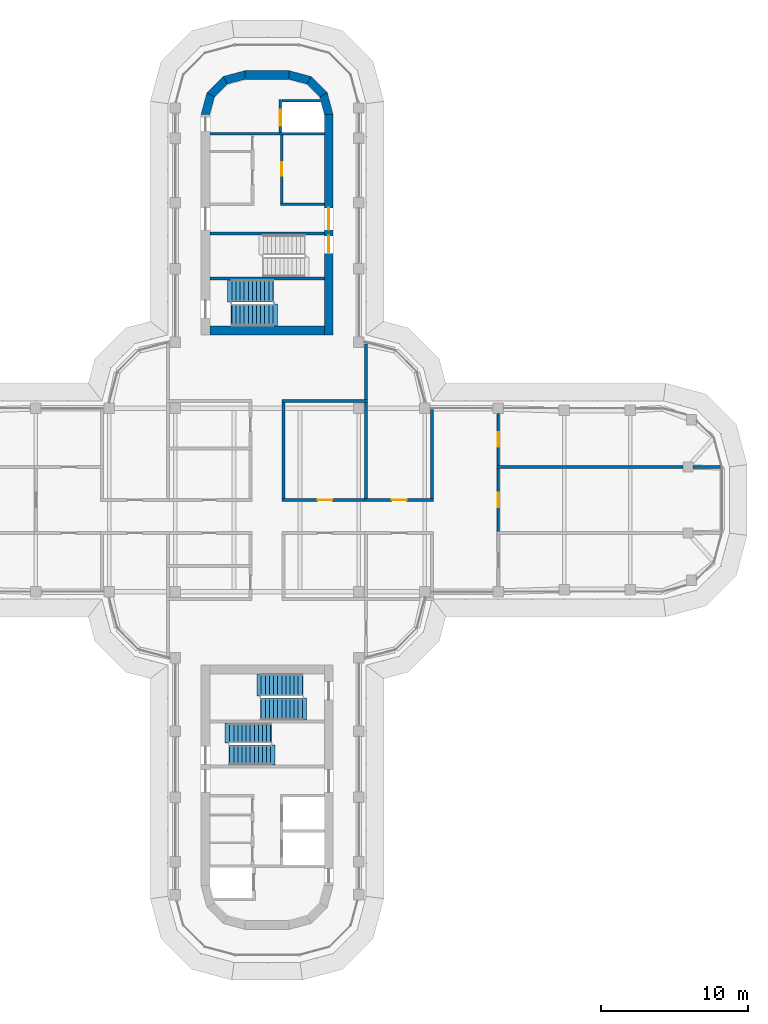
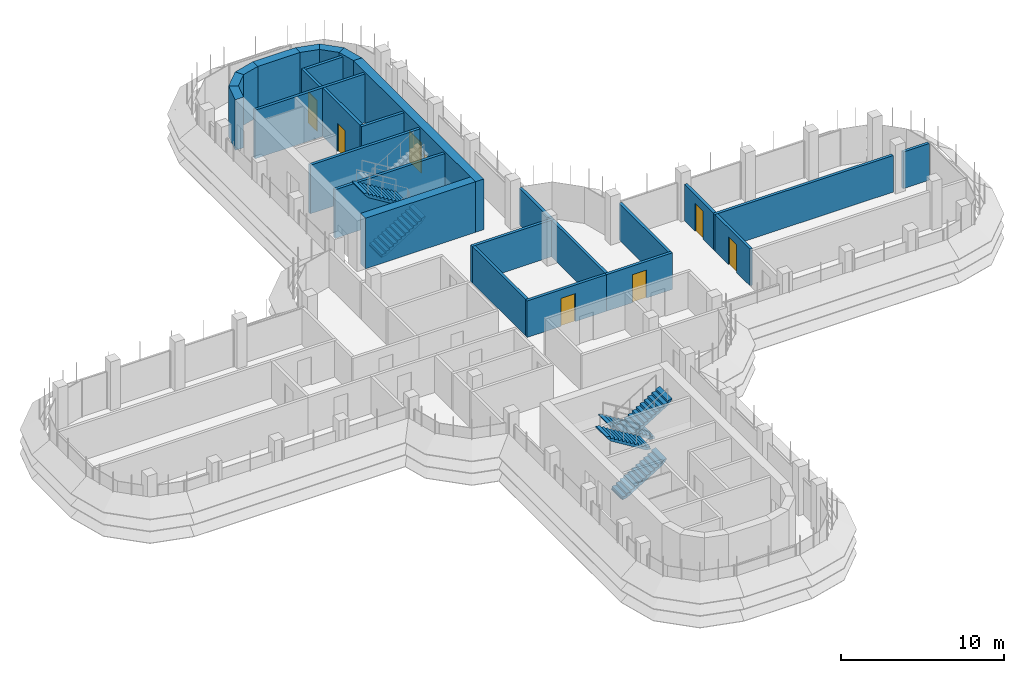
# One storey, part 15 of 19: 27 walls, 8 doors, 6 stair flights, 8 openings, 3 elements without a shape of their own.
"""IFC4 building model written with IfcOpenShell, lengths in metres."""

from ifc_helpers import new_model, si_unit, direction, frame, frame_2d, origin, place, context, subcontext, project, spatial, polyline, rectangle, outline, extrude, material, layer, layer_set, type_object, element, fill, aggregate, save


model = new_model("IFC4")

# Units and contexts
model_context = context("Model", 3, precision=1e-05, world=origin(), true_north=direction((0.0, 1.0)))
body_context = subcontext(model_context, "Body", "Model", "MODEL_VIEW")
ifc_project = project(units=[si_unit("LENGTHUNIT", "METRE"), si_unit("AREAUNIT", "SQUARE_METRE"), si_unit("VOLUMEUNIT", "CUBIC_METRE"), si_unit("PLANEANGLEUNIT", "RADIAN"), si_unit("MASSUNIT", "GRAM", prefix="KILO")], contexts=[model_context])

# Site, building, storey
site_placement = place(None, origin())
site = spatial("IfcSite", under=ifc_project, at=site_placement, CompositionType="ELEMENT")
building_placement = place(site_placement, origin())
building = spatial("IfcBuilding", under=site, at=building_placement, Name="Zarbagh Exchange Tower", CompositionType="ELEMENT")
storey_placement = place(building_placement, frame((0.0, 0.0, 203.0)))
storey = spatial("IfcBuildingStorey", under=building, at=storey_placement, Name="L49", CompositionType="ELEMENT", Elevation=203.0)

# Wall, opening, door
ifc_material_1 = material(Name="Fire-rated plasterboard partition")
ifc_layer_1 = layer(ifc_material_1, 0.199951171875)
ifc_layer_set_1 = layer_set([ifc_layer_1], Name="RATED PARTITION 200")
wall_type_1 = type_object("IfcWallType", Name="RATED PARTITION 200", PredefinedType="PARTITIONING", material=ifc_layer_set_1)
wall_1_placement = place(storey_placement, frame((1.02490234375, 0.0, 0.0), z_axis=(0.0, 0.0, 1.0), x_axis=(1.0, 0.0, 0.0)))
wall_1 = element("IfcWall", 1, at=wall_1_placement, inside=storey, type_object=wall_type_1, Name="Partition W-2101", PredefinedType="PARTITIONING", context=body_context, shape_type="SweptSolid", body=[
    extrude(rectangle(XDim=5.8251953125, YDim=0.199951171875, at=frame_2d((2.91259765625, 0.0))), origin(), (0.0, 0.0, 1.0), 2.75),
])
opening_1_placement = place(wall_1_placement, frame((2.41259765625, 0.0, 0.0)))
opening_1 = element("IfcOpeningElement", 2, at=opening_1_placement, cuts=wall_1, Name="Opening D-2104", PredefinedType="OPENING", context=body_context, shape_type="SweptSolid", body=[
    extrude(rectangle(XDim=1.0, YDim=2.10009765625, at=frame_2d((0.5, 1.050048828125))), frame((0.0, 0.10986328125, 0.0), z_axis=(0.0, -1.0, 0.0), x_axis=(1.0, 0.0, 0.0)), (0.0, 0.0, 1.0), 0.219970703125),
])
ifc_material_2 = material(Name="Steel door set", Category="steel")
door_type_1 = type_object("IfcDoorType", Name="FIRE DOOR 1000 X 2100 FD30S", OperationType="NOTDEFINED", PredefinedType="DOOR", material=ifc_material_2)
door_1_placement = place(opening_1_placement, origin())
door_1 = element("IfcDoor", 3, at=door_1_placement, inside=storey, type_object=door_type_1, Name="Door D-2104", OperationType="SINGLE_SWING_RIGHT", OverallHeight=2.10009765625, OverallWidth=1.0, PredefinedType="DOOR", context=body_context, shape_type="SweptSolid", body=[
    extrude(rectangle(XDim=1.0, YDim=2.10009765625, at=frame_2d((0.5, 1.050048828125))), frame((0.0, 0.02490234375, 0.0), z_axis=(0.0, -1.0, 0.0), x_axis=(1.0, 0.0, 0.0)), (0.0, 0.0, 1.0), 0.050048828125),
])
fill(opening_1, door_1)

wall_2_placement = place(storey_placement, frame((6.64990234375, 0.0, 0.0), z_axis=(0.0, 0.0, 1.0), x_axis=(1.0, 0.0, 0.0)))
wall_2 = element("IfcWall", 4, at=wall_2_placement, inside=storey, type_object=wall_type_1, Name="Partition W-2102", PredefinedType="PARTITIONING", context=body_context, shape_type="SweptSolid", body=[
    extrude(rectangle(XDim=4.7001953125, YDim=0.199951171875, at=frame_2d((2.35009765625, 0.0))), origin(), (0.0, 0.0, 1.0), 2.75),
])
opening_2_placement = place(wall_2_placement, frame((1.85009765625, 0.0, 0.0)))
opening_2 = element("IfcOpeningElement", 5, at=opening_2_placement, cuts=wall_2, Name="Opening D-2105", PredefinedType="OPENING", context=body_context, shape_type="SweptSolid", body=[
    extrude(rectangle(XDim=1.0, YDim=2.10009765625, at=frame_2d((0.5, 1.050048828125))), frame((0.0, 0.10986328125, 0.0), z_axis=(0.0, -1.0, 0.0), x_axis=(1.0, 0.0, 0.0)), (0.0, 0.0, 1.0), 0.219970703125),
])
door_2_placement = place(opening_2_placement, origin())
door_2 = element("IfcDoor", 6, at=door_2_placement, inside=storey, type_object=door_type_1, Name="Door D-2105", OperationType="SINGLE_SWING_RIGHT", OverallHeight=2.10009765625, OverallWidth=1.0, PredefinedType="DOOR", context=body_context, shape_type="SweptSolid", body=[
    extrude(rectangle(XDim=1.0, YDim=2.10009765625, at=frame_2d((0.5, 1.050048828125))), frame((0.0, 0.02490234375, 0.0), z_axis=(0.0, -1.0, 0.0), x_axis=(1.0, 0.0, 0.0)), (0.0, 0.0, 1.0), 0.050048828125),
])
fill(opening_2, door_2)

# Walls
wall_3_placement = place(storey_placement, frame((1.125, 0.10009765625, 0.0), z_axis=(0.0, 0.0, 1.0), x_axis=(0.0, 1.0, 0.0)))
element("IfcWall", 7, at=wall_3_placement, inside=storey, type_object=wall_type_1, Name="Partition W-2109", PredefinedType="PARTITIONING", context=body_context, shape_type="SweptSolid", body=[
    extrude(rectangle(XDim=6.5498046875, YDim=0.199951171875, at=frame_2d((3.27490234375, 0.0))), origin(), (0.0, 0.0, 1.0), 2.75),
])
wall_4_placement = place(storey_placement, frame((1.02490234375, 6.75, 0.0), z_axis=(0.0, 0.0, 1.0), x_axis=(1.0, 0.0, 0.0)))
element("IfcWall", 8, at=wall_4_placement, inside=storey, type_object=wall_type_1, Name="Partition W-2115", PredefinedType="PARTITIONING", context=body_context, shape_type="SweptSolid", body=[
    extrude(rectangle(XDim=5.8251953125, YDim=0.199951171875, at=frame_2d((2.91259765625, 0.0))), origin(), (0.0, 0.0, 1.0), 2.75),
])
wall_5_placement = place(storey_placement, frame((6.75, 6.85009765625, 0.0), z_axis=(0.0, 0.0, 1.0), x_axis=(0.0, 1.0, 0.0)))
element("IfcWall", 9, at=wall_5_placement, inside=storey, type_object=wall_type_1, Name="Partition W-2116", PredefinedType="PARTITIONING", context=body_context, shape_type="SweptSolid", body=[
    extrude(rectangle(XDim=3.77978515625, YDim=0.199951171875, at=frame_2d((1.889892578125, 0.0))), origin(), (0.0, 0.0, 1.0), 2.75),
])
wall_6_placement = place(storey_placement, frame((6.75, 0.10009765625, 0.0), z_axis=(0.0, 0.0, 1.0), x_axis=(0.0, 1.0, 0.0)))
element("IfcWall", 10, at=wall_6_placement, inside=storey, type_object=wall_type_1, Name="Partition W-2123", PredefinedType="PARTITIONING", context=body_context, shape_type="SweptSolid", body=[
    extrude(rectangle(XDim=6.5498046875, YDim=0.199951171875, at=frame_2d((3.27490234375, 0.0))), origin(), (0.0, 0.0, 1.0), 2.75),
])
wall_7_placement = place(storey_placement, frame((11.25, 0.10009765625, 0.0), z_axis=(0.0, 0.0, 1.0), x_axis=(0.0, 1.0, 0.0)))
element("IfcWall", 11, at=wall_7_placement, inside=storey, type_object=wall_type_1, Name="Partition W-2124", PredefinedType="PARTITIONING", context=body_context, shape_type="SweptSolid", body=[
    extrude(rectangle(XDim=6.06982421875, YDim=0.199951171875, at=frame_2d((3.034912109375, 0.0))), origin(), (0.0, 0.0, 1.0), 2.75),
])

# Wall, opening, door
wall_8_placement = place(storey_placement, frame((15.75, 2.14990234375, 0.0), z_axis=(0.0, 0.0, 1.0), x_axis=(0.0, -1.0, 0.0)))
wall_8 = element("IfcWall", 12, at=wall_8_placement, inside=storey, type_object=wall_type_1, Name="Partition W-2138", PredefinedType="PARTITIONING", context=body_context, shape_type="SweptSolid", body=[
    extrude(rectangle(XDim=4.2998046875, YDim=0.199951171875, at=frame_2d((2.14990234375, 0.0))), origin(), (0.0, 0.0, 1.0), 2.75),
])
opening_3_placement = place(wall_8_placement, frame((1.64990234375, 0.0, 0.0)))
opening_3 = element("IfcOpeningElement", 13, at=opening_3_placement, cuts=wall_8, Name="Opening D-2102", PredefinedType="OPENING", context=body_context, shape_type="SweptSolid", body=[
    extrude(rectangle(XDim=1.0, YDim=2.10009765625, at=frame_2d((0.5, 1.050048828125))), frame((0.0, 0.10986328125, 0.0), z_axis=(0.0, -1.0, 0.0), x_axis=(1.0, 0.0, 0.0)), (0.0, 0.0, 1.0), 0.219970703125),
])
door_3_placement = place(opening_3_placement, origin())
door_3 = element("IfcDoor", 14, at=door_3_placement, inside=storey, type_object=door_type_1, Name="Door D-2102", OperationType="SINGLE_SWING_RIGHT", OverallHeight=2.10009765625, OverallWidth=1.0, PredefinedType="DOOR", context=body_context, shape_type="SweptSolid", body=[
    extrude(rectangle(XDim=1.0, YDim=2.10009765625, at=frame_2d((0.5, 1.050048828125))), frame((0.0, 0.02490234375, 0.0), z_axis=(0.0, -1.0, 0.0), x_axis=(1.0, 0.0, 0.0)), (0.0, 0.0, 1.0), 0.050048828125),
])
fill(opening_3, door_3)

wall_9_placement = place(storey_placement, frame((15.75, 5.89990234375, 0.0), z_axis=(0.0, 0.0, 1.0), x_axis=(0.0, -1.0, 0.0)))
wall_9 = element("IfcWall", 15, at=wall_9_placement, inside=storey, type_object=wall_type_1, Name="Partition W-2139", PredefinedType="PARTITIONING", context=body_context, shape_type="SweptSolid", body=[
    extrude(rectangle(XDim=3.5498046875, YDim=0.199951171875, at=frame_2d((1.77490234375, 0.0))), origin(), (0.0, 0.0, 1.0), 2.75),
])
opening_4_placement = place(wall_9_placement, frame((1.27490234375, 0.0, 0.0)))
opening_4 = element("IfcOpeningElement", 16, at=opening_4_placement, cuts=wall_9, Name="Opening D-2103", PredefinedType="OPENING", context=body_context, shape_type="SweptSolid", body=[
    extrude(rectangle(XDim=1.0, YDim=2.10009765625, at=frame_2d((0.5, 1.050048828125))), frame((0.0, 0.10986328125, 0.0), z_axis=(0.0, -1.0, 0.0), x_axis=(1.0, 0.0, 0.0)), (0.0, 0.0, 1.0), 0.219970703125),
])
door_4_placement = place(opening_4_placement, origin())
door_4 = element("IfcDoor", 17, at=door_4_placement, inside=storey, type_object=door_type_1, Name="Door D-2103", OperationType="SINGLE_SWING_RIGHT", OverallHeight=2.10009765625, OverallWidth=1.0, PredefinedType="DOOR", context=body_context, shape_type="SweptSolid", body=[
    extrude(rectangle(XDim=1.0, YDim=2.10009765625, at=frame_2d((0.5, 1.050048828125))), frame((0.0, 0.02490234375, 0.0), z_axis=(0.0, -1.0, 0.0), x_axis=(1.0, 0.0, 0.0)), (0.0, 0.0, 1.0), 0.050048828125),
])
fill(opening_4, door_4)

# Walls
wall_10_placement = place(storey_placement, frame((15.64990234375, 2.25, 0.0), z_axis=(0.0, 0.0, 1.0), x_axis=(1.0, 0.0, 0.0)))
element("IfcWall", 18, at=wall_10_placement, inside=storey, type_object=wall_type_1, Name="Partition W-2142", PredefinedType="PARTITIONING", context=body_context, shape_type="SweptSolid", body=[
    extrude(rectangle(XDim=12.670166015625, YDim=0.199951171875, at=frame_2d((6.3349609375, 0.0))), origin(), (0.0, 0.0, 1.0), 2.75),
])
wall_11_placement = place(storey_placement, frame((29.02001953125, 2.25, 0.0), z_axis=(0.0, 0.0, 1.0), x_axis=(1.0, 0.0, 0.0)))
element("IfcWall", 19, at=wall_11_placement, inside=storey, type_object=wall_type_1, Name="Partition W-2143", PredefinedType="PARTITIONING", context=body_context, shape_type="SweptSolid", body=[
    extrude(rectangle(XDim=1.85986328125, YDim=0.199951171875, at=frame_2d((0.929931640625, 0.0))), origin(), (0.0, 0.0, 1.0), 2.75),
])
ifc_material_3 = material(Name="Concrete C50/60", Category="concrete")
ifc_layer_2 = layer(ifc_material_3, 0.60009765625)
ifc_layer_set_2 = layer_set([ifc_layer_2], Name="RC core corner wall 600 C50/60")
wall_type_2 = type_object("IfcWallType", Name="RC core corner wall 600 C50/60", PredefinedType="SHEAR", material=ifc_layer_set_2)
wall_12_placement = place(storey_placement, origin())
element("IfcWall", 20, at=wall_12_placement, inside=storey, type_object=wall_type_2, Name="CW8 core N corner W", PredefinedType="SHEAR", context=body_context, shape_type="SweptSolid", body=[
    extrude(outline(polyline([(-4.5, 26.25), (-4.09814453125, 27.75), (-3.57861328125, 27.449951171875), (-3.89990234375, 26.25), (-4.5, 26.25)])), origin(), (0.0, 0.0, 1.0), 3.800048828125),
])
wall_13_placement = place(storey_placement, origin())
element("IfcWall", 21, at=wall_13_placement, inside=storey, type_object=wall_type_2, Name="CW8 core N corner W", PredefinedType="SHEAR", context=body_context, shape_type="SweptSolid", body=[
    extrude(outline(polyline([(-4.09814453125, 27.75), (-3.0, 28.84814453125), (-2.699951171875, 28.32861328125), (-3.57861328125, 27.449951171875), (-4.09814453125, 27.75)])), origin(), (0.0, 0.0, 1.0), 3.800048828125),
])
wall_14_placement = place(storey_placement, origin())
element("IfcWall", 22, at=wall_14_placement, inside=storey, type_object=wall_type_2, Name="CW8 core N corner W", PredefinedType="SHEAR", context=body_context, shape_type="SweptSolid", body=[
    extrude(outline(polyline([(-3.0, 28.84814453125), (-1.5, 29.25), (-1.5, 28.64990234375), (-2.699951171875, 28.32861328125), (-3.0, 28.84814453125)])), origin(), (0.0, 0.0, 1.0), 3.800048828125),
])
wall_15_placement = place(storey_placement, origin())
element("IfcWall", 23, at=wall_15_placement, inside=storey, type_object=wall_type_2, Name="CW8 core N corner E", PredefinedType="SHEAR", context=body_context, shape_type="SweptSolid", body=[
    extrude(outline(polyline([(4.5, 26.25), (4.09814453125, 27.75), (3.57861328125, 27.449951171875), (3.89990234375, 26.25), (4.5, 26.25)])), origin(), (0.0, 0.0, 1.0), 3.800048828125),
])
wall_16_placement = place(storey_placement, origin())
element("IfcWall", 24, at=wall_16_placement, inside=storey, type_object=wall_type_2, Name="CW8 core N corner E", PredefinedType="SHEAR", context=body_context, shape_type="SweptSolid", body=[
    extrude(outline(polyline([(4.09814453125, 27.75), (3.0, 28.84814453125), (2.699951171875, 28.32861328125), (3.57861328125, 27.449951171875), (4.09814453125, 27.75)])), origin(), (0.0, 0.0, 1.0), 3.800048828125),
])
wall_17_placement = place(storey_placement, origin())
element("IfcWall", 25, at=wall_17_placement, inside=storey, type_object=wall_type_2, Name="CW8 core N corner E", PredefinedType="SHEAR", context=body_context, shape_type="SweptSolid", body=[
    extrude(outline(polyline([(3.0, 28.84814453125), (1.5, 29.25), (1.5, 28.64990234375), (2.699951171875, 28.32861328125), (3.0, 28.84814453125)])), origin(), (0.0, 0.0, 1.0), 3.800048828125),
])

# Wall, openings, doors
ifc_layer_3 = layer(ifc_material_3, 0.60009765625)
ifc_layer_set_3 = layer_set([ifc_layer_3], Name="RC core wall 600 C50/60")
wall_type_3 = type_object("IfcWallType", Name="RC core wall 600 C50/60", PredefinedType="SHEAR", material=ifc_layer_set_3)
wall_18_placement = place(storey_placement, frame((4.199951171875, 11.25, 0.0), z_axis=(0.0, 0.0, 1.0), x_axis=(0.0, 1.0, 0.0)))
wall_18 = element("IfcWall", 26, at=wall_18_placement, inside=storey, type_object=wall_type_3, Name="CW7 core N E", PredefinedType="SHEAR", context=body_context, shape_type="SweptSolid", body=[
    extrude(rectangle(XDim=15.0, YDim=0.60009765625, at=frame_2d((7.5, 0.0))), origin(), (0.0, 0.0, 1.0), 3.800048828125),
])
opening_5_placement = place(wall_18_placement, frame((7.14990234375, 0.0, 0.0)))
opening_5 = element("IfcOpeningElement", 27, at=opening_5_placement, cuts=wall_18, Name="Opening CD1-1500", PredefinedType="OPENING", context=body_context, shape_type="SweptSolid", body=[
    extrude(rectangle(XDim=1.5, YDim=2.300048828125, at=frame_2d((0.75, 1.14990234375))), frame((0.0, 0.31005859375, 0.0), z_axis=(0.0, -1.0, 0.0), x_axis=(1.0, 0.0, 0.0)), (0.0, 0.0, 1.0), 0.6201171875),
])
opening_6_placement = place(wall_18_placement, frame((5.550048828125, 0.0, 0.0)))
opening_6 = element("IfcOpeningElement", 28, at=opening_6_placement, cuts=wall_18, Name="Opening SD1-1200", PredefinedType="OPENING", context=body_context, shape_type="SweptSolid", body=[
    extrude(rectangle(XDim=1.199951171875, YDim=2.10009765625, at=frame_2d((0.60009765625, 1.050048828125))), frame((0.0, 0.31005859375, 0.0), z_axis=(0.0, -1.0, 0.0), x_axis=(1.0, 0.0, 0.0)), (0.0, 0.0, 1.0), 0.6201171875),
])
ifc_material_4 = material(Name="Steel", Category="steel")
door_type_2 = type_object("IfcDoorType", Name="Exit stair door 1200 x 2100", OperationType="NOTDEFINED", PredefinedType="DOOR", material=ifc_material_4)
door_5_placement = place(opening_6_placement, origin())
door_5 = element("IfcDoor", 29, at=door_5_placement, inside=storey, type_object=door_type_2, Name="North core stair door ST1", OperationType="SINGLE_SWING_RIGHT", OverallHeight=2.10009765625, OverallWidth=1.199951171875, PredefinedType="DOOR", context=body_context, shape_type="SweptSolid", body=[
    extrude(rectangle(XDim=1.199951171875, YDim=2.10009765625, at=frame_2d((0.60009765625, 1.050048828125))), frame((0.0, 0.02490234375, 0.0), z_axis=(0.0, -1.0, 0.0), x_axis=(1.0, 0.0, 0.0)), (0.0, 0.0, 1.0), 0.050048828125),
])
fill(opening_6, door_5)
door_type_3 = type_object("IfcDoorType", Name="Lift lobby double door 1500 x 2300", OperationType="NOTDEFINED", PredefinedType="DOOR", material=ifc_material_4)
door_6_placement = place(opening_5_placement, origin())
door_6 = element("IfcDoor", 30, at=door_6_placement, inside=storey, type_object=door_type_3, Name="North core lift lobby door LOBBY-E", OperationType="DOUBLE_DOOR_SINGLE_SWING", OverallHeight=2.300048828125, OverallWidth=1.5, PredefinedType="DOOR", context=body_context, shape_type="SweptSolid", body=[
    extrude(rectangle(XDim=1.5, YDim=2.300048828125, at=frame_2d((0.75, 1.14990234375))), frame((0.0, 0.02490234375, 0.0), z_axis=(0.0, -1.0, 0.0), x_axis=(1.0, 0.0, 0.0)), (0.0, 0.0, 1.0), 0.050048828125),
])
fill(opening_5, door_6)

# Walls
wall_19_placement = place(storey_placement, frame((-3.89990234375, 11.550048828125, 0.0), z_axis=(0.0, 0.0, 1.0), x_axis=(1.0, 0.0, 0.0)))
element("IfcWall", 31, at=wall_19_placement, inside=storey, type_object=wall_type_3, Name="CW7 core N inner end", PredefinedType="SHEAR", context=body_context, shape_type="SweptSolid", body=[
    extrude(rectangle(XDim=7.7998046875, YDim=0.60009765625, at=frame_2d((3.89990234375, 0.0))), origin(), (0.0, 0.0, 1.0), 3.800048828125),
])
wall_20_placement = place(storey_placement, frame((-1.5, 28.949951171875, 0.0), z_axis=(0.0, 0.0, 1.0), x_axis=(1.0, 0.0, 0.0)))
element("IfcWall", 32, at=wall_20_placement, inside=storey, type_object=wall_type_3, Name="CW7 core N outer end", PredefinedType="SHEAR", context=body_context, shape_type="SweptSolid", body=[
    extrude(rectangle(XDim=3.0, YDim=0.60009765625, at=frame_2d((1.5, 0.0))), origin(), (0.0, 0.0, 1.0), 3.800048828125),
])
ifc_material_5 = material(Name="Dense blockwork", Category="masonry")
ifc_layer_4 = layer(ifc_material_5, 0.199951171875)
ifc_layer_set_4 = layer_set([ifc_layer_4], Name="Shaft wall 200 mm blockwork")
wall_type_4 = type_object("IfcWallType", Name="Shaft wall 200 mm blockwork", PredefinedType="PARTITIONING", material=ifc_layer_set_4)
wall_21_placement = place(storey_placement, frame((0.89990234375, 20.14990234375, 0.0), z_axis=(0.0, 0.0, 1.0), x_axis=(1.0, 0.0, 0.0)))
element("IfcWall", 33, at=wall_21_placement, inside=storey, type_object=wall_type_4, Name="North core shaft wall AB-E", PredefinedType="PARTITIONING", context=body_context, shape_type="SweptSolid", body=[
    extrude(rectangle(XDim=3.0, YDim=0.199951171875, at=frame_2d((1.5, 0.0))), origin(), (0.0, 0.0, 1.0), 3.64990234375),
])

# Wall, opening, door
wall_22_placement = place(storey_placement, frame((1.0, 24.85009765625, 0.0), z_axis=(0.0, 0.0, 1.0), x_axis=(0.0, -1.0, 0.0)))
wall_22 = element("IfcWall", 34, at=wall_22_placement, inside=storey, type_object=wall_type_4, Name="North core shaft wall LW-E", PredefinedType="PARTITIONING", context=body_context, shape_type="SweptSolid", body=[
    extrude(rectangle(XDim=4.60009765625, YDim=0.199951171875, at=frame_2d((2.300048828125, 0.0))), origin(), (0.0, 0.0, 1.0), 3.64990234375),
])
opening_7_placement = place(wall_22_placement, frame((1.85009765625, 0.0, 0.0)))
opening_7 = element("IfcOpeningElement", 35, at=opening_7_placement, cuts=wall_22, Name="Opening CD3-900", PredefinedType="OPENING", context=body_context, shape_type="SweptSolid", body=[
    extrude(rectangle(XDim=0.89990234375, YDim=2.10009765625, at=frame_2d((0.449951171875, 1.050048828125))), frame((0.0, 0.10986328125, 0.0), z_axis=(0.0, -1.0, 0.0), x_axis=(1.0, 0.0, 0.0)), (0.0, 0.0, 1.0), 0.219970703125),
])
door_type_4 = type_object("IfcDoorType", Name="Core room door 900 x 2100", OperationType="NOTDEFINED", PredefinedType="DOOR", material=ifc_material_4)
door_7_placement = place(opening_7_placement, origin())
door_7 = element("IfcDoor", 36, at=door_7_placement, inside=storey, type_object=door_type_4, Name="North core Riser store door RD-E-0", OperationType="SINGLE_SWING_LEFT", OverallHeight=2.10009765625, OverallWidth=0.89990234375, PredefinedType="DOOR", context=body_context, shape_type="SweptSolid", body=[
    extrude(rectangle(XDim=0.89990234375, YDim=2.10009765625, at=frame_2d((0.449951171875, 1.050048828125))), frame((0.0, 0.02490234375, 0.0), z_axis=(0.0, -1.0, 0.0), x_axis=(1.0, 0.0, 0.0)), (0.0, 0.0, 1.0), 0.050048828125),
])
fill(opening_7, door_7)

# Wall
ifc_material_6 = material(Name="Concrete C40/50", Category="concrete")
ifc_layer_5 = layer(ifc_material_6, 0.199951171875)
ifc_layer_set_5 = layer_set([ifc_layer_5], Name="Stair enclosure wall 200 mm RC C40/50")
wall_type_5 = type_object("IfcWallType", Name="Stair enclosure wall 200 mm RC C40/50", PredefinedType="SHEAR", material=ifc_layer_set_5)
wall_23_placement = place(storey_placement, frame((-3.89990234375, 24.949951171875, 0.0), z_axis=(0.0, 0.0, 1.0), x_axis=(1.0, 0.0, 0.0)))
element("IfcWall", 37, at=wall_23_placement, inside=storey, type_object=wall_type_5, Name="North core lift shaft wall FFA", PredefinedType="SHEAR", context=body_context, shape_type="SweptSolid", body=[
    extrude(rectangle(XDim=7.7998046875, YDim=0.199951171875, at=frame_2d((3.89990234375, 0.0))), origin(), (0.0, 0.0, 1.0), 3.64990234375),
])

# Wall, opening, door
wall_24_placement = place(storey_placement, frame((0.89990234375, 27.300048828125, 0.0), z_axis=(0.0, 0.0, 1.0), x_axis=(0.0, -1.0, 0.0)))
wall_24 = element("IfcWall", 38, at=wall_24_placement, inside=storey, type_object=wall_type_5, Name="North core lift shaft wall FFL", PredefinedType="SHEAR", context=body_context, shape_type="SweptSolid", body=[
    extrude(rectangle(XDim=2.25, YDim=0.199951171875, at=frame_2d((1.125, 0.0))), origin(), (0.0, 0.0, 1.0), 3.64990234375),
])
opening_8_placement = place(wall_24_placement, frame((0.699951171875, 0.0, 0.0)))
opening_8 = element("IfcOpeningElement", 39, at=opening_8_placement, cuts=wall_24, Name="Opening LD-1100", PredefinedType="OPENING", context=body_context, shape_type="SweptSolid", body=[
    extrude(rectangle(XDim=1.10009765625, YDim=2.300048828125, at=frame_2d((0.550048828125, 1.14990234375))), frame((0.0, 0.10986328125, 0.0), z_axis=(0.0, -1.0, 0.0), x_axis=(1.0, 0.0, 0.0)), (0.0, 0.0, 1.0), 0.219970703125),
])
ifc_material_7 = material(Name="Stainless steel", Category="steel")
door_type_5 = type_object("IfcDoorType", Name="Lift landing door 1100 x 2300", OperationType="NOTDEFINED", PredefinedType="DOOR", material=ifc_material_7)
door_8_placement = place(opening_8_placement, origin())
door_8 = element("IfcDoor", 40, at=door_8_placement, inside=storey, type_object=door_type_5, Name="North core lift landing door LD-F", OperationType="DOUBLE_DOOR_SLIDING", OverallHeight=2.300048828125, OverallWidth=1.10009765625, PredefinedType="DOOR", context=body_context, shape_type="SweptSolid", body=[
    extrude(rectangle(XDim=1.10009765625, YDim=2.300048828125, at=frame_2d((0.550048828125, 1.14990234375))), frame((0.0, 0.02490234375, 0.0), z_axis=(0.0, -1.0, 0.0), x_axis=(1.0, 0.0, 0.0)), (0.0, 0.0, 1.0), 0.050048828125),
])
fill(opening_8, door_8)

# Walls
wall_25_placement = place(storey_placement, origin())
element("IfcWall", 41, at=wall_25_placement, inside=storey, type_object=wall_type_5, Name="North core lift shaft wall FFX", PredefinedType="SHEAR", context=body_context, shape_type="SweptSolid", body=[
    extrude(outline(polyline([(1.0, 27.10009765625), (3.651123046875, 27.10009765625), (3.597412109375, 27.300048828125), (1.0, 27.300048828125), (1.0, 27.10009765625)])), origin(), (0.0, 0.0, 1.0), 3.64990234375),
])
for number, where, z_axis, x_axis, name in (
    (42, (-3.89990234375, 18.14990234375, 0.0), (0.0, 0.0, 1.0), (1.0, 0.0, 0.0), "North core stair wall BS"),
    (43, (-3.89990234375, 15.10009765625, 0.0), (0.0, 0.0, 1.0), (1.0, 0.0, 0.0), "North core stair wall ST12"),
):
    element("IfcWall", number, at=place(storey_placement, frame(where, z_axis=z_axis, x_axis=x_axis)), inside=storey, type_object=wall_type_5, Name=name, PredefinedType="SHEAR", context=body_context, shape_type="SweptSolid", body=[
        extrude(rectangle(XDim=7.7998046875, YDim=0.199951171875, at=frame_2d((3.89990234375, 0.0))), origin(), (0.0, 0.0, 1.0), 3.64990234375),
    ])

# Stair, stair flights
stair_type = type_object("IfcStairType", Name="Exit stair two-flight half-turn", PredefinedType="HALF_TURN_STAIR", material=ifc_material_6)
stair_1_placement = place(storey_placement, origin())
stair_1 = element("IfcStair", 44, at=stair_1_placement, inside=storey, type_object=stair_type, Name="exit stair ST3", PredefinedType="HALF_TURN_STAIR")
stair_flight_type_1 = type_object("IfcStairFlightType", Name="Stair flight 1350 mm", PredefinedType="STRAIGHT", material=ifc_material_6)
stair_flight_1_placement = place(storey_placement, frame((-2.550048828125, -17.375, 0.0), z_axis=(0.0, 0.0, 1.0), x_axis=(1.0, 0.0, 0.0)))
stair_flight_1 = element("IfcStairFlight", 45, at=stair_flight_1_placement, type_object=stair_flight_type_1, Name="ST3 flight 1", NumberOfRisers=11, NumberOfTreads=10, PredefinedType="STRAIGHT", RiserHeight=0.172727273, TreadLength=0.28, context=body_context, shape_type="SweptSolid", body=[
    extrude(outline(polyline([(-0.050048828125, -0.050048828125), (-0.050048828125, 0.0), (0.0, 0.0), (0.0, 0.172607421875), (0.280029296875, 0.172607421875), (0.280029296875, 0.345458984375), (0.56005859375, 0.345458984375), (0.56005859375, 0.51806640625), (0.840087890625, 0.51806640625), (0.840087890625, 0.69091796875), (1.1201171875, 0.69091796875), (1.1201171875, 0.863525390625), (1.39990234375, 0.863525390625), (1.39990234375, 1.036376953125), (1.679931640625, 1.036376953125), (1.679931640625, 1.208984375), (1.9599609375, 1.208984375), (1.9599609375, 1.3818359375), (2.239990234375, 1.3818359375), (2.239990234375, 1.554443359375), (2.52001953125, 1.554443359375), (2.52001953125, 1.727294921875), (2.800048828125, 1.727294921875), (2.800048828125, 1.89990234375), (3.10009765625, 1.97998046875), (3.10009765625, 1.89990234375), (2.800048828125, 1.551025390625), (0.285400390625, 0.0), (-0.050048828125, -0.050048828125)])), frame((0.0, 0.675048828125, 0.0), z_axis=(0.0, -1.0, 0.0), x_axis=(1.0, 0.0, 0.0)), (0.0, 0.0, 1.0), 1.35009765625),
])
stair_flight_2_placement = place(storey_placement, frame((0.25, -15.875, 1.89990234375), z_axis=(0.0, 0.0, 1.0), x_axis=(-1.0, 0.0, 0.0)))
stair_flight_2 = element("IfcStairFlight", 46, at=stair_flight_2_placement, type_object=stair_flight_type_1, Name="ST3 flight 2", NumberOfRisers=11, NumberOfTreads=10, PredefinedType="STRAIGHT", RiserHeight=0.172727273, TreadLength=0.28, context=body_context, shape_type="SweptSolid", body=[
    extrude(outline(polyline([(-0.050048828125, -0.050048828125), (-0.050048828125, 0.0), (0.0, 0.0), (0.0, 0.172607421875), (0.280029296875, 0.172607421875), (0.280029296875, 0.345458984375), (0.56005859375, 0.345458984375), (0.56005859375, 0.51806640625), (0.840087890625, 0.51806640625), (0.840087890625, 0.69091796875), (1.1201171875, 0.69091796875), (1.1201171875, 0.863525390625), (1.39990234375, 0.863525390625), (1.39990234375, 1.036376953125), (1.679931640625, 1.036376953125), (1.679931640625, 1.208984375), (1.9599609375, 1.208984375), (1.9599609375, 1.3818359375), (2.239990234375, 1.3818359375), (2.239990234375, 1.554443359375), (2.52001953125, 1.554443359375), (2.52001953125, 1.727294921875), (2.800048828125, 1.727294921875), (2.800048828125, 1.89990234375), (3.10009765625, 1.97998046875), (3.10009765625, 1.89990234375), (2.800048828125, 1.551025390625), (0.285400390625, 0.0), (-0.050048828125, -0.050048828125)])), frame((0.0, 0.675048828125, 0.0), z_axis=(0.0, -1.0, 0.0), x_axis=(1.0, 0.0, 0.0)), (0.0, 0.0, 1.0), 1.35009765625),
])
aggregate(stair_1, [stair_flight_1, stair_flight_2])

stair_2_placement = place(storey_placement, origin())
stair_2 = element("IfcStair", 47, at=stair_2_placement, inside=storey, type_object=stair_type, Name="exit stair ST2", PredefinedType="HALF_TURN_STAIR")
stair_flight_type_2 = type_object("IfcStairFlightType", Name="Stair flight 1500 mm", PredefinedType="STRAIGHT", material=ifc_material_6)
stair_flight_3_placement = place(storey_placement, frame((-2.39990234375, 12.60009765625, 0.0), z_axis=(0.0, 0.0, 1.0), x_axis=(1.0, 0.0, 0.0)))
stair_flight_3 = element("IfcStairFlight", 48, at=stair_flight_3_placement, type_object=stair_flight_type_2, Name="ST2 flight 1", NumberOfRisers=11, NumberOfTreads=10, PredefinedType="STRAIGHT", RiserHeight=0.172727273, TreadLength=0.28, context=body_context, shape_type="SweptSolid", body=[
    extrude(outline(polyline([(-0.050048828125, -0.050048828125), (-0.050048828125, 0.0), (0.0, 0.0), (0.0, 0.172607421875), (0.280029296875, 0.172607421875), (0.280029296875, 0.345458984375), (0.56005859375, 0.345458984375), (0.56005859375, 0.51806640625), (0.840087890625, 0.51806640625), (0.840087890625, 0.69091796875), (1.1201171875, 0.69091796875), (1.1201171875, 0.863525390625), (1.39990234375, 0.863525390625), (1.39990234375, 1.036376953125), (1.679931640625, 1.036376953125), (1.679931640625, 1.208984375), (1.9599609375, 1.208984375), (1.9599609375, 1.3818359375), (2.239990234375, 1.3818359375), (2.239990234375, 1.554443359375), (2.52001953125, 1.554443359375), (2.52001953125, 1.727294921875), (2.800048828125, 1.727294921875), (2.800048828125, 1.89990234375), (3.10009765625, 1.97998046875), (3.10009765625, 1.89990234375), (2.800048828125, 1.551025390625), (0.285400390625, 0.0), (-0.050048828125, -0.050048828125)])), frame((0.0, 0.75, 0.0), z_axis=(0.0, -1.0, 0.0), x_axis=(1.0, 0.0, 0.0)), (0.0, 0.0, 1.0), 1.5),
])
stair_flight_4_placement = place(storey_placement, frame((0.39990234375, 14.25, 1.89990234375), z_axis=(0.0, 0.0, 1.0), x_axis=(-1.0, 0.0, 0.0)))
stair_flight_4 = element("IfcStairFlight", 49, at=stair_flight_4_placement, type_object=stair_flight_type_2, Name="ST2 flight 2", NumberOfRisers=11, NumberOfTreads=10, PredefinedType="STRAIGHT", RiserHeight=0.172727273, TreadLength=0.28, context=body_context, shape_type="SweptSolid", body=[
    extrude(outline(polyline([(-0.050048828125, -0.050048828125), (-0.050048828125, 0.0), (0.0, 0.0), (0.0, 0.172607421875), (0.280029296875, 0.172607421875), (0.280029296875, 0.345458984375), (0.56005859375, 0.345458984375), (0.56005859375, 0.51806640625), (0.840087890625, 0.51806640625), (0.840087890625, 0.69091796875), (1.1201171875, 0.69091796875), (1.1201171875, 0.863525390625), (1.39990234375, 0.863525390625), (1.39990234375, 1.036376953125), (1.679931640625, 1.036376953125), (1.679931640625, 1.208984375), (1.9599609375, 1.208984375), (1.9599609375, 1.3818359375), (2.239990234375, 1.3818359375), (2.239990234375, 1.554443359375), (2.52001953125, 1.554443359375), (2.52001953125, 1.727294921875), (2.800048828125, 1.727294921875), (2.800048828125, 1.89990234375), (3.10009765625, 1.97998046875), (3.10009765625, 1.89990234375), (2.800048828125, 1.551025390625), (0.285400390625, 0.0), (-0.050048828125, -0.050048828125)])), frame((0.0, 0.75, 0.0), z_axis=(0.0, -1.0, 0.0), x_axis=(1.0, 0.0, 0.0)), (0.0, 0.0, 1.0), 1.5),
])
aggregate(stair_2, [stair_flight_3, stair_flight_4])

stair_3_placement = place(storey_placement, origin())
stair_3 = element("IfcStair", 50, at=stair_3_placement, inside=storey, type_object=stair_type, Name="exit stair ST4", PredefinedType="HALF_TURN_STAIR")
stair_flight_5_placement = place(storey_placement, frame((2.39990234375, -12.60009765625, 0.0), z_axis=(0.0, 0.0, 1.0), x_axis=(-1.0, 0.0, 0.0)))
stair_flight_5 = element("IfcStairFlight", 51, at=stair_flight_5_placement, type_object=stair_flight_type_2, Name="ST4 flight 1", NumberOfRisers=11, NumberOfTreads=10, PredefinedType="STRAIGHT", RiserHeight=0.172727273, TreadLength=0.28, context=body_context, shape_type="SweptSolid", body=[
    extrude(outline(polyline([(-0.050048828125, -0.050048828125), (-0.050048828125, 0.0), (0.0, 0.0), (0.0, 0.172607421875), (0.280029296875, 0.172607421875), (0.280029296875, 0.345458984375), (0.56005859375, 0.345458984375), (0.56005859375, 0.51806640625), (0.840087890625, 0.51806640625), (0.840087890625, 0.69091796875), (1.1201171875, 0.69091796875), (1.1201171875, 0.863525390625), (1.39990234375, 0.863525390625), (1.39990234375, 1.036376953125), (1.679931640625, 1.036376953125), (1.679931640625, 1.208984375), (1.9599609375, 1.208984375), (1.9599609375, 1.3818359375), (2.239990234375, 1.3818359375), (2.239990234375, 1.554443359375), (2.52001953125, 1.554443359375), (2.52001953125, 1.727294921875), (2.800048828125, 1.727294921875), (2.800048828125, 1.89990234375), (3.10009765625, 1.97998046875), (3.10009765625, 1.89990234375), (2.800048828125, 1.551025390625), (0.285400390625, 0.0), (-0.050048828125, -0.050048828125)])), frame((0.0, 0.75, 0.0), z_axis=(0.0, -1.0, 0.0), x_axis=(1.0, 0.0, 0.0)), (0.0, 0.0, 1.0), 1.5),
])
stair_flight_6_placement = place(storey_placement, frame((-0.39990234375, -14.25, 1.89990234375), z_axis=(0.0, 0.0, 1.0), x_axis=(1.0, 0.0, 0.0)))
stair_flight_6 = element("IfcStairFlight", 52, at=stair_flight_6_placement, type_object=stair_flight_type_2, Name="ST4 flight 2", NumberOfRisers=11, NumberOfTreads=10, PredefinedType="STRAIGHT", RiserHeight=0.172727273, TreadLength=0.28, context=body_context, shape_type="SweptSolid", body=[
    extrude(outline(polyline([(-0.050048828125, -0.050048828125), (-0.050048828125, 0.0), (0.0, 0.0), (0.0, 0.172607421875), (0.280029296875, 0.172607421875), (0.280029296875, 0.345458984375), (0.56005859375, 0.345458984375), (0.56005859375, 0.51806640625), (0.840087890625, 0.51806640625), (0.840087890625, 0.69091796875), (1.1201171875, 0.69091796875), (1.1201171875, 0.863525390625), (1.39990234375, 0.863525390625), (1.39990234375, 1.036376953125), (1.679931640625, 1.036376953125), (1.679931640625, 1.208984375), (1.9599609375, 1.208984375), (1.9599609375, 1.3818359375), (2.239990234375, 1.3818359375), (2.239990234375, 1.554443359375), (2.52001953125, 1.554443359375), (2.52001953125, 1.727294921875), (2.800048828125, 1.727294921875), (2.800048828125, 1.89990234375), (3.10009765625, 1.97998046875), (3.10009765625, 1.89990234375), (2.800048828125, 1.551025390625), (0.285400390625, 0.0), (-0.050048828125, -0.050048828125)])), frame((0.0, 0.75, 0.0), z_axis=(0.0, -1.0, 0.0), x_axis=(1.0, 0.0, 0.0)), (0.0, 0.0, 1.0), 1.5),
])
aggregate(stair_3, [stair_flight_5, stair_flight_6])

save(model, "model.ifc")
